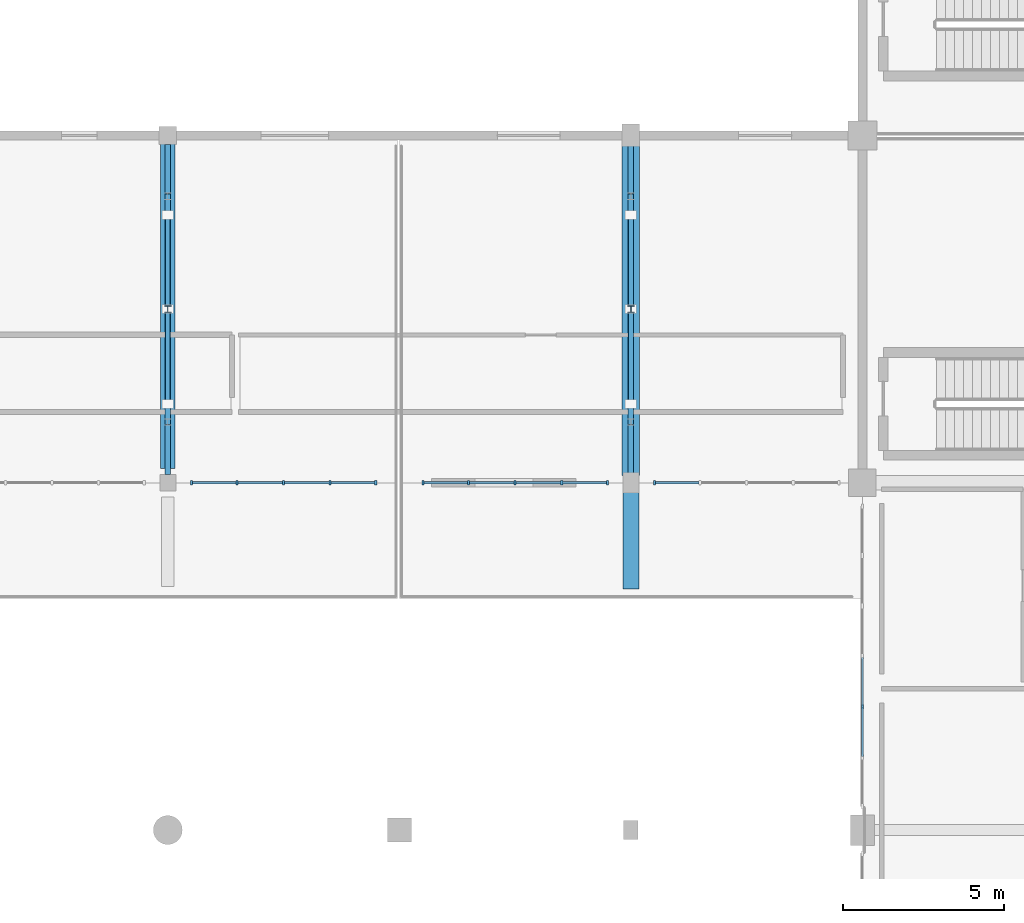
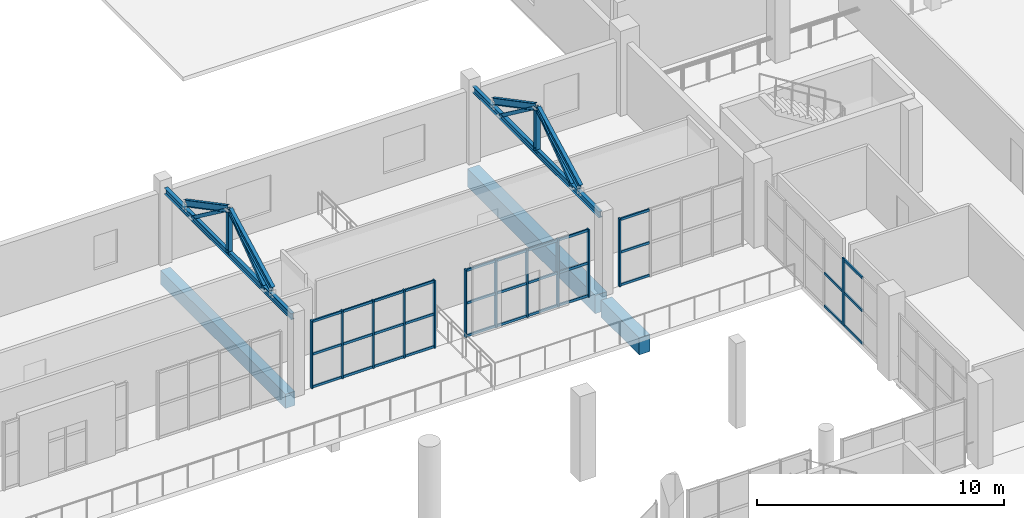
# One storey, part 30 of 92: 50 members, 9 beams, 4 elements without a shape of their own.
"""IFC4 building model written with IfcOpenShell, lengths in metres."""

from ifc_helpers import new_model, si_unit, direction, frame, origin, origin_2d, place, context, subcontext, project, spatial, rectangle, hollow_rectangle, i_section, extrude, material, material_profile, profile_set, type_object, element, aggregate, save


model = new_model("IFC4")

# Units and contexts
model_context = context("Model", 3, precision=1e-05, world=origin(), true_north=direction((0.0, 1.0)))
body_context = subcontext(model_context, "Body", "Model", "MODEL_VIEW")
ifc_project = project(units=[si_unit("LENGTHUNIT", "METRE"), si_unit("AREAUNIT", "SQUARE_METRE"), si_unit("VOLUMEUNIT", "CUBIC_METRE"), si_unit("PLANEANGLEUNIT", "RADIAN"), si_unit("MASSUNIT", "GRAM", prefix="KILO")], contexts=[model_context])

# Site, building, storey
site_placement = place(None, origin())
site = spatial("IfcSite", under=ifc_project, at=site_placement, CompositionType="ELEMENT")
building_placement = place(site_placement, origin())
building = spatial("IfcBuilding", under=site, at=building_placement, Name="Solanera Park Tramway Depot", CompositionType="ELEMENT")
storey_placement = place(building_placement, frame((0.0, 0.0, 4.800048828125)))
storey = spatial("IfcBuildingStorey", under=building, at=storey_placement, Name="L01", CompositionType="ELEMENT", Elevation=4.800048828125)

# Curtain wall, members
ifc_material_1 = material(Name="Bronze-anodised thermally broken aluminium curtain wall", Category="aluminium")
curtain_wall_type = type_object("IfcCurtainWallType", Name="Courtyard Cloister Unitised Curtain Wall", PredefinedType="NOTDEFINED", material=ifc_material_1)
curtain_wall_1_placement = place(storey_placement, origin())
curtain_wall_1 = element("IfcCurtainWall", 1, at=curtain_wall_1_placement, inside=storey, type_object=curtain_wall_type, Name="L01 Courtyard Cloister Unitised Curtain Wall #097", PredefinedType="NOTDEFINED")
ifc_material_2 = material(Name="Bronze-anodised structural aluminium 6063-T6", Category="aluminium")
ifc_material_profile_1 = material_profile(ifc_material_2, rectangle(XDim=0.06494140625, YDim=0.14990234375, at=origin_2d()), Name="Curtain Wall Mullion 65x150")
ifc_profile_set_1 = profile_set([ifc_material_profile_1], Name="Bronze-anodised structural aluminium 6063-T6")
member_type_1 = type_object("IfcMemberType", Name="Curtain Wall Mullion 65x150", PredefinedType="MULLION", material=ifc_profile_set_1)
member_1_placement = place(storey_placement, frame((150.467529296875, 43.199951171875, 0.0), z_axis=(0.0, 0.0, 1.0), x_axis=(1.0, 0.0, 0.0)))
member_1 = element("IfcMember", 2, at=member_1_placement, type_object=member_type_1, Name="CW-L01-097 Mullion 1", PredefinedType="MULLION", context=body_context, shape_type="SweptSolid", body=[
    extrude(rectangle(XDim=0.06494140625, YDim=0.14990234375, at=origin_2d()), origin(), (0.0, 0.0, 1.0), 3.349853515625),
])
member_2_placement = place(storey_placement, frame((149.050048828125, 43.199951171875, 0.0), z_axis=(0.0, 0.0, 1.0), x_axis=(1.0, 0.0, 0.0)))
member_2 = element("IfcMember", 3, at=member_2_placement, type_object=member_type_1, Name="CW-L01-097 Mullion 2", PredefinedType="MULLION", context=body_context, shape_type="SweptSolid", body=[
    extrude(rectangle(XDim=0.06494140625, YDim=0.14990234375, at=origin_2d()), origin(), (0.0, 0.0, 1.0), 3.349853515625),
])
member_3_placement = place(storey_placement, frame((147.60009765625, 43.199951171875, 0.0), z_axis=(0.0, 0.0, 1.0), x_axis=(1.0, 0.0, 0.0)))
member_3 = element("IfcMember", 4, at=member_3_placement, type_object=member_type_1, Name="CW-L01-097 Mullion 3", PredefinedType="MULLION", context=body_context, shape_type="SweptSolid", body=[
    extrude(rectangle(XDim=0.06494140625, YDim=0.14990234375, at=origin_2d()), origin(), (0.0, 0.0, 1.0), 3.349853515625),
])
member_4_placement = place(storey_placement, frame((146.14990234375, 43.199951171875, 0.0), z_axis=(0.0, 0.0, 1.0), x_axis=(1.0, 0.0, 0.0)))
member_4 = element("IfcMember", 5, at=member_4_placement, type_object=member_type_1, Name="CW-L01-097 Mullion 4", PredefinedType="MULLION", context=body_context, shape_type="SweptSolid", body=[
    extrude(rectangle(XDim=0.06494140625, YDim=0.14990234375, at=origin_2d()), origin(), (0.0, 0.0, 1.0), 3.349853515625),
])
member_5_placement = place(storey_placement, frame((144.732421875, 43.199951171875, 0.0), z_axis=(0.0, 0.0, 1.0), x_axis=(1.0, 0.0, 0.0)))
member_5 = element("IfcMember", 6, at=member_5_placement, type_object=member_type_1, Name="CW-L01-097 Mullion 5", PredefinedType="MULLION", context=body_context, shape_type="SweptSolid", body=[
    extrude(rectangle(XDim=0.06494140625, YDim=0.14990234375, at=origin_2d()), origin(), (0.0, 0.0, 1.0), 3.349853515625),
])

curtain_wall_2_placement = place(storey_placement, origin())
curtain_wall_2 = element("IfcCurtainWall", 7, at=curtain_wall_2_placement, inside=storey, type_object=curtain_wall_type, Name="L01 Courtyard Cloister Unitised Curtain Wall #098", PredefinedType="NOTDEFINED")
member_6_placement = place(storey_placement, frame((157.66748046875, 43.199951171875, 0.0), z_axis=(0.0, 0.0, 1.0), x_axis=(1.0, 0.0, 0.0)))
member_6 = element("IfcMember", 8, at=member_6_placement, type_object=member_type_1, Name="CW-L01-098 Mullion 1", PredefinedType="MULLION", context=body_context, shape_type="SweptSolid", body=[
    extrude(rectangle(XDim=0.06494140625, YDim=0.14990234375, at=origin_2d()), origin(), (0.0, 0.0, 1.0), 3.349853515625),
])
member_7_placement = place(storey_placement, frame((156.25, 43.199951171875, 0.0), z_axis=(0.0, 0.0, 1.0), x_axis=(1.0, 0.0, 0.0)))
member_7 = element("IfcMember", 9, at=member_7_placement, type_object=member_type_1, Name="CW-L01-098 Mullion 2", PredefinedType="MULLION", context=body_context, shape_type="SweptSolid", body=[
    extrude(rectangle(XDim=0.06494140625, YDim=0.14990234375, at=origin_2d()), origin(), (0.0, 0.0, 1.0), 3.349853515625),
])
member_8_placement = place(storey_placement, frame((154.800048828125, 43.199951171875, 0.0), z_axis=(0.0, 0.0, 1.0), x_axis=(1.0, 0.0, 0.0)))
member_8 = element("IfcMember", 10, at=member_8_placement, type_object=member_type_1, Name="CW-L01-098 Mullion 3", PredefinedType="MULLION", context=body_context, shape_type="SweptSolid", body=[
    extrude(rectangle(XDim=0.06494140625, YDim=0.14990234375, at=origin_2d()), origin(), (0.0, 0.0, 1.0), 3.349853515625),
])
member_9_placement = place(storey_placement, frame((153.35009765625, 43.199951171875, 0.0), z_axis=(0.0, 0.0, 1.0), x_axis=(1.0, 0.0, 0.0)))
member_9 = element("IfcMember", 11, at=member_9_placement, type_object=member_type_1, Name="CW-L01-098 Mullion 4", PredefinedType="MULLION", context=body_context, shape_type="SweptSolid", body=[
    extrude(rectangle(XDim=0.06494140625, YDim=0.14990234375, at=origin_2d()), origin(), (0.0, 0.0, 1.0), 3.349853515625),
])
member_10_placement = place(storey_placement, frame((151.9326171875, 43.199951171875, 0.0), z_axis=(0.0, 0.0, 1.0), x_axis=(1.0, 0.0, 0.0)))
member_10 = element("IfcMember", 12, at=member_10_placement, type_object=member_type_1, Name="CW-L01-098 Mullion 5", PredefinedType="MULLION", context=body_context, shape_type="SweptSolid", body=[
    extrude(rectangle(XDim=0.06494140625, YDim=0.14990234375, at=origin_2d()), origin(), (0.0, 0.0, 1.0), 3.349853515625),
])

# Curtain wall, member
curtain_wall_3_placement = place(storey_placement, origin())
curtain_wall_3 = element("IfcCurtainWall", 13, at=curtain_wall_3_placement, inside=storey, type_object=curtain_wall_type, Name="L01 Courtyard Cloister Unitised Curtain Wall #099", PredefinedType="NOTDEFINED")
member_11_placement = place(storey_placement, frame((159.132568359375, 43.199951171875, 0.0), z_axis=(0.0, 0.0, 1.0), x_axis=(1.0, 0.0, 0.0)))
member_11 = element("IfcMember", 14, at=member_11_placement, type_object=member_type_1, Name="CW-L01-099 Mullion 5", PredefinedType="MULLION", context=body_context, shape_type="SweptSolid", body=[
    extrude(rectangle(XDim=0.06494140625, YDim=0.14990234375, at=origin_2d()), origin(), (0.0, 0.0, 1.0), 3.349853515625),
])

curtain_wall_4_placement = place(storey_placement, origin())
curtain_wall_4 = element("IfcCurtainWall", 15, at=curtain_wall_4_placement, inside=storey, type_object=curtain_wall_type, Name="L01 Courtyard Cloister Unitised Curtain Wall #103", PredefinedType="NOTDEFINED")
member_12_placement = place(storey_placement, frame((165.60009765625, 36.2333984375, 0.0), z_axis=(0.0, 0.0, 1.0), x_axis=(1.0, 0.0, 0.0)))
member_12 = element("IfcMember", 16, at=member_12_placement, type_object=member_type_1, Name="CW-L01-103 Mullion 5", PredefinedType="MULLION", context=body_context, shape_type="SweptSolid", body=[
    extrude(rectangle(XDim=0.06494140625, YDim=0.14990234375, at=origin_2d()), origin(), (0.0, 0.0, 1.0), 3.349853515625),
])

# Member
ifc_material_3 = material(Name="Bronze-anodised structural aluminium 6063-T6", Category="aluminium")
ifc_material_profile_2 = material_profile(ifc_material_3, rectangle(XDim=0.06494140625, YDim=0.1201171875, at=origin_2d()), Name="Curtain Wall Transom 65x120")
ifc_profile_set_2 = profile_set([ifc_material_profile_2], Name="Bronze-anodised structural aluminium 6063-T6")
member_type_2 = type_object("IfcMemberType", Name="Curtain Wall Transom 65x120", PredefinedType="USERDEFINED", material=ifc_profile_set_2)
member_13_placement = place(storey_placement, frame((150.439453125, 43.199951171875, 0.06005859375), z_axis=(-1.0, 0.0, 0.0), x_axis=(0.0, -1.0, 0.0)))
member_13 = element("IfcMember", 17, at=member_13_placement, type_object=member_type_2, Name="CW-L01-097 Transom R1.C1", ObjectType="TRANSOM", PredefinedType="USERDEFINED", context=body_context, shape_type="SweptSolid", body=[
    extrude(rectangle(XDim=0.06494140625, YDim=0.1201171875, at=origin_2d()), origin(), (0.0, 0.0, 1.0), 1.361572265625),
])

member_14_placement = place(storey_placement, frame((149.02197265625, 43.199951171875, 0.06005859375), z_axis=(-1.0, 0.0, 0.0), x_axis=(0.0, -1.0, 0.0)))
member_14 = element("IfcMember", 18, at=member_14_placement, type_object=member_type_2, Name="CW-L01-097 Transom R1.C2", ObjectType="TRANSOM", PredefinedType="USERDEFINED", context=body_context, shape_type="SweptSolid", body=[
    extrude(rectangle(XDim=0.06494140625, YDim=0.1201171875, at=origin_2d()), origin(), (0.0, 0.0, 1.0), 1.39404296875),
])

member_15_placement = place(storey_placement, frame((147.572021484375, 43.199951171875, 0.06005859375), z_axis=(-1.0, 0.0, 0.0), x_axis=(0.0, -1.0, 0.0)))
member_15 = element("IfcMember", 19, at=member_15_placement, type_object=member_type_2, Name="CW-L01-097 Transom R1.C3", ObjectType="TRANSOM", PredefinedType="USERDEFINED", context=body_context, shape_type="SweptSolid", body=[
    extrude(rectangle(XDim=0.06494140625, YDim=0.1201171875, at=origin_2d()), origin(), (0.0, 0.0, 1.0), 1.39404296875),
])

member_16_placement = place(storey_placement, frame((146.1220703125, 43.199951171875, 0.06005859375), z_axis=(-1.0, 0.0, 0.0), x_axis=(0.0, -1.0, 0.0)))
member_16 = element("IfcMember", 20, at=member_16_placement, type_object=member_type_2, Name="CW-L01-097 Transom R1.C4", ObjectType="TRANSOM", PredefinedType="USERDEFINED", context=body_context, shape_type="SweptSolid", body=[
    extrude(rectangle(XDim=0.06494140625, YDim=0.1201171875, at=origin_2d()), origin(), (0.0, 0.0, 1.0), 1.361572265625),
])

member_17_placement = place(storey_placement, frame((150.439453125, 43.199951171875, 1.675048828125), z_axis=(-1.0, 0.0, 0.0), x_axis=(0.0, -1.0, 0.0)))
member_17 = element("IfcMember", 21, at=member_17_placement, type_object=member_type_2, Name="CW-L01-097 Transom R2.C1", ObjectType="TRANSOM", PredefinedType="USERDEFINED", context=body_context, shape_type="SweptSolid", body=[
    extrude(rectangle(XDim=0.06494140625, YDim=0.1201171875, at=origin_2d()), origin(), (0.0, 0.0, 1.0), 1.361572265625),
])

member_18_placement = place(storey_placement, frame((149.02197265625, 43.199951171875, 1.675048828125), z_axis=(-1.0, 0.0, 0.0), x_axis=(0.0, -1.0, 0.0)))
member_18 = element("IfcMember", 22, at=member_18_placement, type_object=member_type_2, Name="CW-L01-097 Transom R2.C2", ObjectType="TRANSOM", PredefinedType="USERDEFINED", context=body_context, shape_type="SweptSolid", body=[
    extrude(rectangle(XDim=0.06494140625, YDim=0.1201171875, at=origin_2d()), origin(), (0.0, 0.0, 1.0), 1.39404296875),
])

member_19_placement = place(storey_placement, frame((147.572021484375, 43.199951171875, 1.675048828125), z_axis=(-1.0, 0.0, 0.0), x_axis=(0.0, -1.0, 0.0)))
member_19 = element("IfcMember", 23, at=member_19_placement, type_object=member_type_2, Name="CW-L01-097 Transom R2.C3", ObjectType="TRANSOM", PredefinedType="USERDEFINED", context=body_context, shape_type="SweptSolid", body=[
    extrude(rectangle(XDim=0.06494140625, YDim=0.1201171875, at=origin_2d()), origin(), (0.0, 0.0, 1.0), 1.39404296875),
])

member_20_placement = place(storey_placement, frame((146.1220703125, 43.199951171875, 1.675048828125), z_axis=(-1.0, 0.0, 0.0), x_axis=(0.0, -1.0, 0.0)))
member_20 = element("IfcMember", 24, at=member_20_placement, type_object=member_type_2, Name="CW-L01-097 Transom R2.C4", ObjectType="TRANSOM", PredefinedType="USERDEFINED", context=body_context, shape_type="SweptSolid", body=[
    extrude(rectangle(XDim=0.06494140625, YDim=0.1201171875, at=origin_2d()), origin(), (0.0, 0.0, 1.0), 1.361572265625),
])

member_21_placement = place(storey_placement, frame((150.439453125, 43.199951171875, 3.2900390625), z_axis=(-1.0, 0.0, 0.0), x_axis=(0.0, -1.0, 0.0)))
member_21 = element("IfcMember", 25, at=member_21_placement, type_object=member_type_2, Name="CW-L01-097 Transom R3.C1", ObjectType="TRANSOM", PredefinedType="USERDEFINED", context=body_context, shape_type="SweptSolid", body=[
    extrude(rectangle(XDim=0.06494140625, YDim=0.1201171875, at=origin_2d()), origin(), (0.0, 0.0, 1.0), 1.361572265625),
])

member_22_placement = place(storey_placement, frame((149.02197265625, 43.199951171875, 3.2900390625), z_axis=(-1.0, 0.0, 0.0), x_axis=(0.0, -1.0, 0.0)))
member_22 = element("IfcMember", 26, at=member_22_placement, type_object=member_type_2, Name="CW-L01-097 Transom R3.C2", ObjectType="TRANSOM", PredefinedType="USERDEFINED", context=body_context, shape_type="SweptSolid", body=[
    extrude(rectangle(XDim=0.06494140625, YDim=0.1201171875, at=origin_2d()), origin(), (0.0, 0.0, 1.0), 1.39404296875),
])

member_23_placement = place(storey_placement, frame((147.572021484375, 43.199951171875, 3.2900390625), z_axis=(-1.0, 0.0, 0.0), x_axis=(0.0, -1.0, 0.0)))
member_23 = element("IfcMember", 27, at=member_23_placement, type_object=member_type_2, Name="CW-L01-097 Transom R3.C3", ObjectType="TRANSOM", PredefinedType="USERDEFINED", context=body_context, shape_type="SweptSolid", body=[
    extrude(rectangle(XDim=0.06494140625, YDim=0.1201171875, at=origin_2d()), origin(), (0.0, 0.0, 1.0), 1.39404296875),
])

member_24_placement = place(storey_placement, frame((146.1220703125, 43.199951171875, 3.2900390625), z_axis=(-1.0, 0.0, 0.0), x_axis=(0.0, -1.0, 0.0)))
member_24 = element("IfcMember", 28, at=member_24_placement, type_object=member_type_2, Name="CW-L01-097 Transom R3.C4", ObjectType="TRANSOM", PredefinedType="USERDEFINED", context=body_context, shape_type="SweptSolid", body=[
    extrude(rectangle(XDim=0.06494140625, YDim=0.1201171875, at=origin_2d()), origin(), (0.0, 0.0, 1.0), 1.361572265625),
])

aggregate(curtain_wall_1, [member_1, member_2, member_3, member_4, member_5, member_13, member_14, member_15, member_16, member_17, member_18, member_19, member_20, member_21, member_22, member_23, member_24])

member_25_placement = place(storey_placement, frame((157.639404296875, 43.199951171875, 0.06005859375), z_axis=(-1.0, 0.0, 0.0), x_axis=(0.0, -1.0, 0.0)))
member_25 = element("IfcMember", 29, at=member_25_placement, type_object=member_type_2, Name="CW-L01-098 Transom R1.C1", ObjectType="TRANSOM", PredefinedType="USERDEFINED", context=body_context, shape_type="SweptSolid", body=[
    extrude(rectangle(XDim=0.06494140625, YDim=0.1201171875, at=origin_2d()), origin(), (0.0, 0.0, 1.0), 1.361328125),
])

member_26_placement = place(storey_placement, frame((156.221923828125, 43.199951171875, 0.06005859375), z_axis=(-1.0, 0.0, 0.0), x_axis=(0.0, -1.0, 0.0)))
member_26 = element("IfcMember", 30, at=member_26_placement, type_object=member_type_2, Name="CW-L01-098 Transom R1.C2", ObjectType="TRANSOM", PredefinedType="USERDEFINED", context=body_context, shape_type="SweptSolid", body=[
    extrude(rectangle(XDim=0.06494140625, YDim=0.1201171875, at=origin_2d()), origin(), (0.0, 0.0, 1.0), 1.39404296875),
])

member_27_placement = place(storey_placement, frame((154.77197265625, 43.199951171875, 0.06005859375), z_axis=(-1.0, 0.0, 0.0), x_axis=(0.0, -1.0, 0.0)))
member_27 = element("IfcMember", 31, at=member_27_placement, type_object=member_type_2, Name="CW-L01-098 Transom R1.C3", ObjectType="TRANSOM", PredefinedType="USERDEFINED", context=body_context, shape_type="SweptSolid", body=[
    extrude(rectangle(XDim=0.06494140625, YDim=0.1201171875, at=origin_2d()), origin(), (0.0, 0.0, 1.0), 1.39404296875),
])

member_28_placement = place(storey_placement, frame((153.322021484375, 43.199951171875, 0.06005859375), z_axis=(-1.0, 0.0, 0.0), x_axis=(0.0, -1.0, 0.0)))
member_28 = element("IfcMember", 32, at=member_28_placement, type_object=member_type_2, Name="CW-L01-098 Transom R1.C4", ObjectType="TRANSOM", PredefinedType="USERDEFINED", context=body_context, shape_type="SweptSolid", body=[
    extrude(rectangle(XDim=0.06494140625, YDim=0.1201171875, at=origin_2d()), origin(), (0.0, 0.0, 1.0), 1.361572265625),
])

member_29_placement = place(storey_placement, frame((157.639404296875, 43.199951171875, 1.675048828125), z_axis=(-1.0, 0.0, 0.0), x_axis=(0.0, -1.0, 0.0)))
member_29 = element("IfcMember", 33, at=member_29_placement, type_object=member_type_2, Name="CW-L01-098 Transom R2.C1", ObjectType="TRANSOM", PredefinedType="USERDEFINED", context=body_context, shape_type="SweptSolid", body=[
    extrude(rectangle(XDim=0.06494140625, YDim=0.1201171875, at=origin_2d()), origin(), (0.0, 0.0, 1.0), 1.361328125),
])

member_30_placement = place(storey_placement, frame((156.221923828125, 43.199951171875, 1.675048828125), z_axis=(-1.0, 0.0, 0.0), x_axis=(0.0, -1.0, 0.0)))
member_30 = element("IfcMember", 34, at=member_30_placement, type_object=member_type_2, Name="CW-L01-098 Transom R2.C2", ObjectType="TRANSOM", PredefinedType="USERDEFINED", context=body_context, shape_type="SweptSolid", body=[
    extrude(rectangle(XDim=0.06494140625, YDim=0.1201171875, at=origin_2d()), origin(), (0.0, 0.0, 1.0), 1.39404296875),
])

member_31_placement = place(storey_placement, frame((154.77197265625, 43.199951171875, 1.675048828125), z_axis=(-1.0, 0.0, 0.0), x_axis=(0.0, -1.0, 0.0)))
member_31 = element("IfcMember", 35, at=member_31_placement, type_object=member_type_2, Name="CW-L01-098 Transom R2.C3", ObjectType="TRANSOM", PredefinedType="USERDEFINED", context=body_context, shape_type="SweptSolid", body=[
    extrude(rectangle(XDim=0.06494140625, YDim=0.1201171875, at=origin_2d()), origin(), (0.0, 0.0, 1.0), 1.39404296875),
])

member_32_placement = place(storey_placement, frame((153.322021484375, 43.199951171875, 1.675048828125), z_axis=(-1.0, 0.0, 0.0), x_axis=(0.0, -1.0, 0.0)))
member_32 = element("IfcMember", 36, at=member_32_placement, type_object=member_type_2, Name="CW-L01-098 Transom R2.C4", ObjectType="TRANSOM", PredefinedType="USERDEFINED", context=body_context, shape_type="SweptSolid", body=[
    extrude(rectangle(XDim=0.06494140625, YDim=0.1201171875, at=origin_2d()), origin(), (0.0, 0.0, 1.0), 1.361572265625),
])

member_33_placement = place(storey_placement, frame((157.639404296875, 43.199951171875, 3.2900390625), z_axis=(-1.0, 0.0, 0.0), x_axis=(0.0, -1.0, 0.0)))
member_33 = element("IfcMember", 37, at=member_33_placement, type_object=member_type_2, Name="CW-L01-098 Transom R3.C1", ObjectType="TRANSOM", PredefinedType="USERDEFINED", context=body_context, shape_type="SweptSolid", body=[
    extrude(rectangle(XDim=0.06494140625, YDim=0.1201171875, at=origin_2d()), origin(), (0.0, 0.0, 1.0), 1.361328125),
])

member_34_placement = place(storey_placement, frame((156.221923828125, 43.199951171875, 3.2900390625), z_axis=(-1.0, 0.0, 0.0), x_axis=(0.0, -1.0, 0.0)))
member_34 = element("IfcMember", 38, at=member_34_placement, type_object=member_type_2, Name="CW-L01-098 Transom R3.C2", ObjectType="TRANSOM", PredefinedType="USERDEFINED", context=body_context, shape_type="SweptSolid", body=[
    extrude(rectangle(XDim=0.06494140625, YDim=0.1201171875, at=origin_2d()), origin(), (0.0, 0.0, 1.0), 1.39404296875),
])

member_35_placement = place(storey_placement, frame((154.77197265625, 43.199951171875, 3.2900390625), z_axis=(-1.0, 0.0, 0.0), x_axis=(0.0, -1.0, 0.0)))
member_35 = element("IfcMember", 39, at=member_35_placement, type_object=member_type_2, Name="CW-L01-098 Transom R3.C3", ObjectType="TRANSOM", PredefinedType="USERDEFINED", context=body_context, shape_type="SweptSolid", body=[
    extrude(rectangle(XDim=0.06494140625, YDim=0.1201171875, at=origin_2d()), origin(), (0.0, 0.0, 1.0), 1.39404296875),
])

member_36_placement = place(storey_placement, frame((153.322021484375, 43.199951171875, 3.2900390625), z_axis=(-1.0, 0.0, 0.0), x_axis=(0.0, -1.0, 0.0)))
member_36 = element("IfcMember", 40, at=member_36_placement, type_object=member_type_2, Name="CW-L01-098 Transom R3.C4", ObjectType="TRANSOM", PredefinedType="USERDEFINED", context=body_context, shape_type="SweptSolid", body=[
    extrude(rectangle(XDim=0.06494140625, YDim=0.1201171875, at=origin_2d()), origin(), (0.0, 0.0, 1.0), 1.361572265625),
])

aggregate(curtain_wall_2, [member_6, member_7, member_8, member_9, member_10, member_25, member_26, member_27, member_28, member_29, member_30, member_31, member_32, member_33, member_34, member_35, member_36])

member_37_placement = place(storey_placement, frame((160.52197265625, 43.199951171875, 0.06005859375), z_axis=(-1.0, 0.0, 0.0), x_axis=(0.0, -1.0, 0.0)))
member_37 = element("IfcMember", 41, at=member_37_placement, type_object=member_type_2, Name="CW-L01-099 Transom R1.C4", ObjectType="TRANSOM", PredefinedType="USERDEFINED", context=body_context, shape_type="SweptSolid", body=[
    extrude(rectangle(XDim=0.06494140625, YDim=0.1201171875, at=origin_2d()), origin(), (0.0, 0.0, 1.0), 1.361572265625),
])

member_38_placement = place(storey_placement, frame((160.52197265625, 43.199951171875, 1.675048828125), z_axis=(-1.0, 0.0, 0.0), x_axis=(0.0, -1.0, 0.0)))
member_38 = element("IfcMember", 42, at=member_38_placement, type_object=member_type_2, Name="CW-L01-099 Transom R2.C4", ObjectType="TRANSOM", PredefinedType="USERDEFINED", context=body_context, shape_type="SweptSolid", body=[
    extrude(rectangle(XDim=0.06494140625, YDim=0.1201171875, at=origin_2d()), origin(), (0.0, 0.0, 1.0), 1.361572265625),
])

member_39_placement = place(storey_placement, frame((160.52197265625, 43.199951171875, 3.2900390625), z_axis=(-1.0, 0.0, 0.0), x_axis=(0.0, -1.0, 0.0)))
member_39 = element("IfcMember", 43, at=member_39_placement, type_object=member_type_2, Name="CW-L01-099 Transom R3.C4", ObjectType="TRANSOM", PredefinedType="USERDEFINED", context=body_context, shape_type="SweptSolid", body=[
    extrude(rectangle(XDim=0.06494140625, YDim=0.1201171875, at=origin_2d()), origin(), (0.0, 0.0, 1.0), 1.361572265625),
])

aggregate(curtain_wall_3, [member_11, member_37, member_38, member_39])

member_40_placement = place(storey_placement, frame((165.60009765625, 37.77197265625, 0.06005859375), z_axis=(0.0, -1.0, 0.0), x_axis=(1.0, 0.0, 0.0)))
member_40 = element("IfcMember", 44, at=member_40_placement, type_object=member_type_2, Name="CW-L01-103 Transom R1.C4", ObjectType="TRANSOM", PredefinedType="USERDEFINED", context=body_context, shape_type="SweptSolid", body=[
    extrude(rectangle(XDim=0.06494140625, YDim=0.1201171875, at=origin_2d()), origin(), (0.0, 0.0, 1.0), 1.5107421875),
])

member_41_placement = place(storey_placement, frame((165.60009765625, 36.205322265625, 0.06005859375), z_axis=(0.0, -1.0, 0.0), x_axis=(1.0, 0.0, 0.0)))
member_41 = element("IfcMember", 45, at=member_41_placement, type_object=member_type_2, Name="CW-L01-103 Transom R1.C5", ObjectType="TRANSOM", PredefinedType="USERDEFINED", context=body_context, shape_type="SweptSolid", body=[
    extrude(rectangle(XDim=0.06494140625, YDim=0.1201171875, at=origin_2d()), origin(), (0.0, 0.0, 1.0), 1.5107421875),
])

member_42_placement = place(storey_placement, frame((165.60009765625, 37.77197265625, 1.675048828125), z_axis=(0.0, -1.0, 0.0), x_axis=(1.0, 0.0, 0.0)))
member_42 = element("IfcMember", 46, at=member_42_placement, type_object=member_type_2, Name="CW-L01-103 Transom R2.C4", ObjectType="TRANSOM", PredefinedType="USERDEFINED", context=body_context, shape_type="SweptSolid", body=[
    extrude(rectangle(XDim=0.06494140625, YDim=0.1201171875, at=origin_2d()), origin(), (0.0, 0.0, 1.0), 1.5107421875),
])

member_43_placement = place(storey_placement, frame((165.60009765625, 36.205322265625, 1.675048828125), z_axis=(0.0, -1.0, 0.0), x_axis=(1.0, 0.0, 0.0)))
member_43 = element("IfcMember", 47, at=member_43_placement, type_object=member_type_2, Name="CW-L01-103 Transom R2.C5", ObjectType="TRANSOM", PredefinedType="USERDEFINED", context=body_context, shape_type="SweptSolid", body=[
    extrude(rectangle(XDim=0.06494140625, YDim=0.1201171875, at=origin_2d()), origin(), (0.0, 0.0, 1.0), 1.5107421875),
])

member_44_placement = place(storey_placement, frame((165.60009765625, 36.205322265625, 3.2900390625), z_axis=(0.0, -1.0, 0.0), x_axis=(1.0, 0.0, 0.0)))
member_44 = element("IfcMember", 48, at=member_44_placement, type_object=member_type_2, Name="CW-L01-103 Transom R3.C5", ObjectType="TRANSOM", PredefinedType="USERDEFINED", context=body_context, shape_type="SweptSolid", body=[
    extrude(rectangle(XDim=0.06494140625, YDim=0.1201171875, at=origin_2d()), origin(), (0.0, 0.0, 1.0), 1.5107421875),
])

aggregate(curtain_wall_4, [member_12, member_40, member_41, member_42, member_43, member_44])

# Beams
ifc_material_4 = material(Name="Concrete N40 (C40/50)", Category="concrete")
ifc_material_profile_3 = material_profile(ifc_material_4, rectangle(XDim=0.449951171875, YDim=0.699951171875, at=origin_2d()), Name="RCB 450x700")
ifc_profile_set_3 = profile_set([ifc_material_profile_3], Name="Concrete N40 (C40/50)")
beam_type_1 = type_object("IfcBeamType", Name="RC Floor Beam RCB 450x700", PredefinedType="BEAM", material=ifc_profile_set_3)
beam_1_placement = place(storey_placement, frame((144.0, 43.64990234375, -0.60400390625), z_axis=(0.0, 1.0, 0.0), x_axis=(-1.0, 0.0, 0.0)))
element("IfcBeam", 49, at=beam_1_placement, inside=storey, type_object=beam_type_1, Name="L01 Primary Y-Girder RCB 450x700 #0062", PredefinedType="BEAM", context=body_context, shape_type="SweptSolid", body=[
    extrude(rectangle(XDim=0.449951171875, YDim=0.699951171875, at=origin_2d()), origin(), (0.0, 0.0, 1.0), 10.125),
])
ifc_material_5 = material(Name="Concrete N40 (C40/50)", Category="concrete")
ifc_material_profile_4 = material_profile(ifc_material_5, rectangle(XDim=0.5, YDim=0.85009765625, at=origin_2d()), Name="RCB 500x850")
ifc_profile_set_4 = profile_set([ifc_material_profile_4], Name="Concrete N40 (C40/50)")
beam_type_2 = type_object("IfcBeamType", Name="RC Floor Beam RCB 500x850", PredefinedType="BEAM", material=ifc_profile_set_4)
beam_2_placement = place(storey_placement, frame((158.39990234375, 39.89990234375, -0.63916015625), z_axis=(0.0, 1.0, 0.0), x_axis=(-1.0, 0.0, 0.0)))
element("IfcBeam", 50, at=beam_2_placement, inside=storey, type_object=beam_type_2, Name="L01 Primary Y-Girder RCB 500x850 #0064", PredefinedType="BEAM", context=body_context, shape_type="SweptSolid", body=[
    extrude(rectangle(XDim=0.5, YDim=0.85009765625, at=origin_2d()), origin(), (0.0, 0.0, 1.0), 3.0751953125),
])
ifc_material_6 = material(Name="Concrete N40 (C40/50)", Category="concrete")
ifc_material_profile_5 = material_profile(ifc_material_6, rectangle(XDim=0.550048828125, YDim=0.89990234375, at=origin_2d()), Name="RCB 550x900")
ifc_profile_set_5 = profile_set([ifc_material_profile_5], Name="Concrete N40 (C40/50)")
beam_type_3 = type_object("IfcBeamType", Name="RC Floor Beam RCB 550x900", PredefinedType="BEAM", material=ifc_profile_set_5)
beam_3_placement = place(storey_placement, frame((158.39990234375, 43.425048828125, -0.7041015625), z_axis=(0.0, 1.0, 0.0), x_axis=(-1.0, 0.0, 0.0)))
element("IfcBeam", 51, at=beam_3_placement, inside=storey, type_object=beam_type_3, Name="L01 Primary Y-Girder RCB 550x900 #0065", PredefinedType="BEAM", context=body_context, shape_type="SweptSolid", body=[
    extrude(rectangle(XDim=0.550048828125, YDim=0.89990234375, at=origin_2d()), origin(), (0.0, 0.0, 1.0), 10.349853515625),
])

# Members
ifc_material_7 = material(Name="Steel AS/NZS 3679.1 Grade 350", Category="steel")
ifc_material_profile_6 = material_profile(ifc_material_7, i_section(OverallWidth=0.205078125, OverallDepth=0.209716796875, WebThickness=0.00927734375, FlangeThickness=0.01416015625, at=origin_2d()), Name="200UC59.5")
ifc_profile_set_6 = profile_set([ifc_material_profile_6], Name="Steel AS/NZS 3679.1 Grade 350")
member_type_3 = type_object("IfcMemberType", Name="Roof Gantry Compression Strut 200UC59.5", PredefinedType="STRUT", material=ifc_profile_set_6)
member_45_placement = place(storey_placement, frame((144.0, 48.60009765625, 3.64794921875), z_axis=(0.0, 0.0, 1.0), x_axis=(1.0, 0.0, 0.0)))
element("IfcMember", 52, at=member_45_placement, inside=storey, type_object=member_type_3, Name="Hip ROOF TRUSS King Post #0163", PredefinedType="STRUT", context=body_context, shape_type="SweptSolid", body=[
    extrude(i_section(OverallWidth=0.205078125, OverallDepth=0.209716796875, WebThickness=0.00927734375, FlangeThickness=0.01416015625, at=origin_2d()), origin(), (0.0, 0.0, 1.0), 2.1796875),
])
member_46_placement = place(storey_placement, frame((158.39990234375, 48.60009765625, 3.646240234375), z_axis=(0.0, 0.0, 1.0), x_axis=(1.0, 0.0, 0.0)))
element("IfcMember", 53, at=member_46_placement, inside=storey, type_object=member_type_3, Name="Hip ROOF TRUSS King Post #0166", PredefinedType="STRUT", context=body_context, shape_type="SweptSolid", body=[
    extrude(i_section(OverallWidth=0.205078125, OverallDepth=0.209716796875, WebThickness=0.00927734375, FlangeThickness=0.01416015625, at=origin_2d()), origin(), (0.0, 0.0, 1.0), 2.179931640625),
])

# Beams
ifc_material_8 = material(Name="Steel AS/NZS 3679.1 Grade 350", Category="steel")
ifc_material_profile_7 = material_profile(ifc_material_8, i_section(OverallWidth=0.1650390625, OverallDepth=0.3037109375, WebThickness=0.006103515625, FlangeThickness=0.01025390625, at=origin_2d()), Name="310UB40.4")
ifc_profile_set_7 = profile_set([ifc_material_profile_7], Name="Steel AS/NZS 3679.1 Grade 350")
beam_type_4 = type_object("IfcBeamType", Name="Steel Beam 310UB40.4", PredefinedType="BEAM", material=ifc_profile_set_7)
beam_4_placement = place(storey_placement, frame((144.0, 43.449951171875, 3.64794921875), z_axis=(0.0, 1.0, 0.0), x_axis=(-1.0, 0.0, 0.0)))
element("IfcBeam", 54, at=beam_4_placement, inside=storey, type_object=beam_type_4, Name="L01 Hip ROOF TRUSS Tie 310UB40.4 #1107", PredefinedType="BEAM", context=body_context, shape_type="SweptSolid", body=[
    extrude(i_section(OverallWidth=0.1650390625, OverallDepth=0.3037109375, WebThickness=0.006103515625, FlangeThickness=0.01025390625, at=origin_2d()), origin(), (0.0, 0.0, 1.0), 10.275146484375),
])
for number, where, z_axis, x_axis, name in (
    (55, (144.0, 45.090087890625, 4.011962890625), (0.0, 0.884927731136, 0.465728365753), (-1.0, 0.0, 0.0), "L01 Hip ROOF TRUSS Rafter 310UB40.4 #1108"),
    (56, (144.0, 48.659912109375, 5.82763671875), (0.0, 0.88494131315, -0.465702557734), (-1.0, 0.0, 0.0), "L01 Hip ROOF TRUSS Rafter 310UB40.4 #1109"),
):
    element("IfcBeam", number, at=place(storey_placement, frame(where, z_axis=z_axis, x_axis=x_axis)), inside=storey, type_object=beam_type_4, Name=name, PredefinedType="BEAM", context=body_context, shape_type="SweptSolid", body=[
        extrude(i_section(OverallWidth=0.1650390625, OverallDepth=0.3037109375, WebThickness=0.006103515625, FlangeThickness=0.01025390625, at=origin_2d()), origin(), (0.0, 0.0, 1.0), 3.898681640625),
    ])
ifc_material_9 = material(Name="Steel AS/NZS 3679.1 Grade 350", Category="steel")
ifc_material_profile_8 = material_profile(ifc_material_9, i_section(OverallWidth=0.166015625, OverallDepth=0.30712890625, WebThickness=0.006591796875, FlangeThickness=0.01171875, at=origin_2d()), Name="310UB46.2")
ifc_profile_set_8 = profile_set([ifc_material_profile_8], Name="Steel AS/NZS 3679.1 Grade 350")
beam_type_5 = type_object("IfcBeamType", Name="Steel Beam 310UB46.2", PredefinedType="BEAM", material=ifc_profile_set_8)
beam_5_placement = place(storey_placement, frame((158.39990234375, 43.449951171875, 3.646240234375), z_axis=(0.0, 1.0, 0.0), x_axis=(-1.0, 0.0, 0.0)))
element("IfcBeam", 57, at=beam_5_placement, inside=storey, type_object=beam_type_5, Name="L01 Hip ROOF TRUSS Tie 310UB46.2 #1110", PredefinedType="BEAM", context=body_context, shape_type="SweptSolid", body=[
    extrude(i_section(OverallWidth=0.166015625, OverallDepth=0.30712890625, WebThickness=0.006591796875, FlangeThickness=0.01171875, at=origin_2d()), origin(), (0.0, 0.0, 1.0), 10.275146484375),
])
beam_6_placement = place(storey_placement, frame((158.39990234375, 45.090087890625, 4.013671875), z_axis=(0.0, 0.885263148758, 0.465090483079), x_axis=(-1.0, 0.0, 0.0)))
element("IfcBeam", 58, at=beam_6_placement, inside=storey, type_object=beam_type_5, Name="L01 Hip ROOF TRUSS Rafter 310UB46.2 #1111", PredefinedType="BEAM", context=body_context, shape_type="SweptSolid", body=[
    extrude(i_section(OverallWidth=0.166015625, OverallDepth=0.30712890625, WebThickness=0.006591796875, FlangeThickness=0.01171875, at=origin_2d()), origin(), (0.0, 0.0, 1.0), 3.89697265625),
])
beam_7_placement = place(storey_placement, frame((158.39990234375, 48.659912109375, 5.826171875), z_axis=(0.0, 0.885276698726, -0.465064690868), x_axis=(-1.0, 0.0, 0.0)))
element("IfcBeam", 59, at=beam_7_placement, inside=storey, type_object=beam_type_5, Name="L01 Hip ROOF TRUSS Rafter 310UB46.2 #1112", PredefinedType="BEAM", context=body_context, shape_type="SweptSolid", body=[
    extrude(i_section(OverallWidth=0.166015625, OverallDepth=0.30712890625, WebThickness=0.006591796875, FlangeThickness=0.01171875, at=origin_2d()), origin(), (0.0, 0.0, 1.0), 3.897216796875),
])

# Members
ifc_material_10 = material(Name="Steel AS/NZS 1163 Grade C350L0", Category="steel")
ifc_material_profile_9 = material_profile(ifc_material_10, hollow_rectangle(XDim=0.14990234375, YDim=0.14990234375, WallThickness=0.006103515625, at=origin_2d()), Name="150x150x6.0 SHS")
ifc_profile_set_9 = profile_set([ifc_material_profile_9], Name="Steel AS/NZS 1163 Grade C350L0")
member_type_4 = type_object("IfcMemberType", Name="Truss and Frame Brace 150x150x6.0 SHS", PredefinedType="BRACE", material=ifc_profile_set_9)
member_47_placement = place(storey_placement, frame((144.0, 45.64990234375, 3.64794921875), z_axis=(0.0, 0.804292318605, 0.594233848105), x_axis=(-1.0, 0.0, 0.0)))
element("IfcMember", 60, at=member_47_placement, inside=storey, type_object=member_type_4, Name="Hip ROOF TRUSS Web #0479", PredefinedType="BRACE", context=body_context, shape_type="SweptSolid", body=[
    extrude(hollow_rectangle(XDim=0.14990234375, YDim=0.14990234375, WallThickness=0.006103515625, at=origin_2d()), origin(), (0.0, 0.0, 1.0), 3.66796875),
])
member_48_placement = place(storey_placement, frame((144.0, 51.52490234375, 3.64794921875), z_axis=(0.0, -0.801827492748, 0.597555580572), x_axis=(1.0, 0.0, 0.0)))
element("IfcMember", 61, at=member_48_placement, inside=storey, type_object=member_type_4, Name="Hip ROOF TRUSS Web #0480", PredefinedType="BRACE", context=body_context, shape_type="SweptSolid", body=[
    extrude(hollow_rectangle(XDim=0.14990234375, YDim=0.14990234375, WallThickness=0.006103515625, at=origin_2d()), origin(), (0.0, 0.0, 1.0), 3.647705078125),
])
member_49_placement = place(storey_placement, frame((158.39990234375, 45.64990234375, 3.646240234375), z_axis=(0.0, 0.804260507916, 0.59427690129), x_axis=(-1.0, 0.0, 0.0)))
element("IfcMember", 62, at=member_49_placement, inside=storey, type_object=member_type_4, Name="Hip ROOF TRUSS Web #0481", PredefinedType="BRACE", context=body_context, shape_type="SweptSolid", body=[
    extrude(hollow_rectangle(XDim=0.14990234375, YDim=0.14990234375, WallThickness=0.006103515625, at=origin_2d()), origin(), (0.0, 0.0, 1.0), 3.668212890625),
])
member_50_placement = place(storey_placement, frame((158.39990234375, 51.52490234375, 3.646240234375), z_axis=(0.0, -0.801795424027, 0.597598609444), x_axis=(1.0, 0.0, 0.0)))
element("IfcMember", 63, at=member_50_placement, inside=storey, type_object=member_type_4, Name="Hip ROOF TRUSS Web #0482", PredefinedType="BRACE", context=body_context, shape_type="SweptSolid", body=[
    extrude(hollow_rectangle(XDim=0.14990234375, YDim=0.14990234375, WallThickness=0.006103515625, at=origin_2d()), origin(), (0.0, 0.0, 1.0), 3.647705078125),
])

save(model, "model.ifc")
